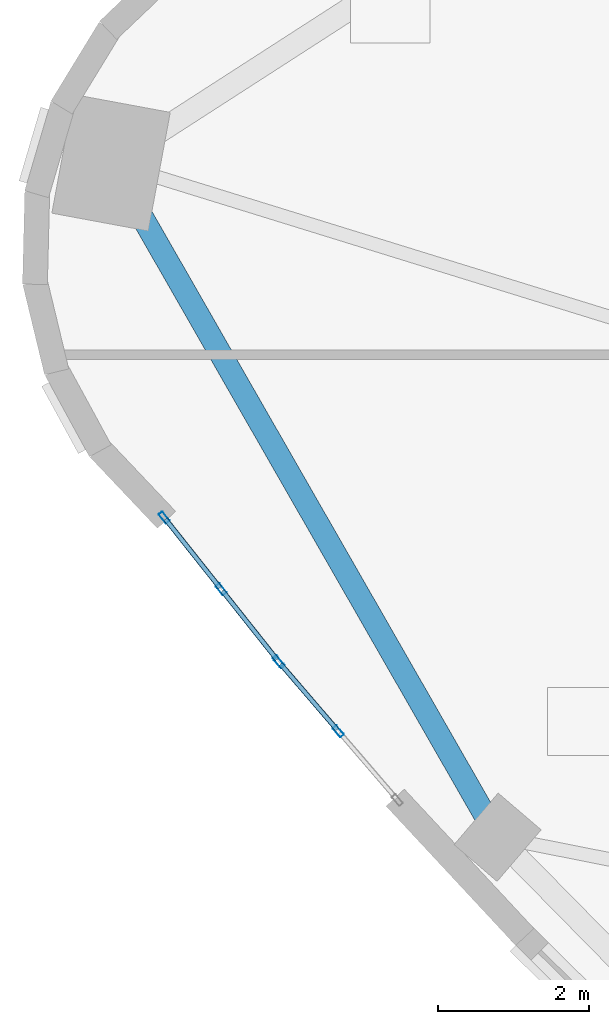
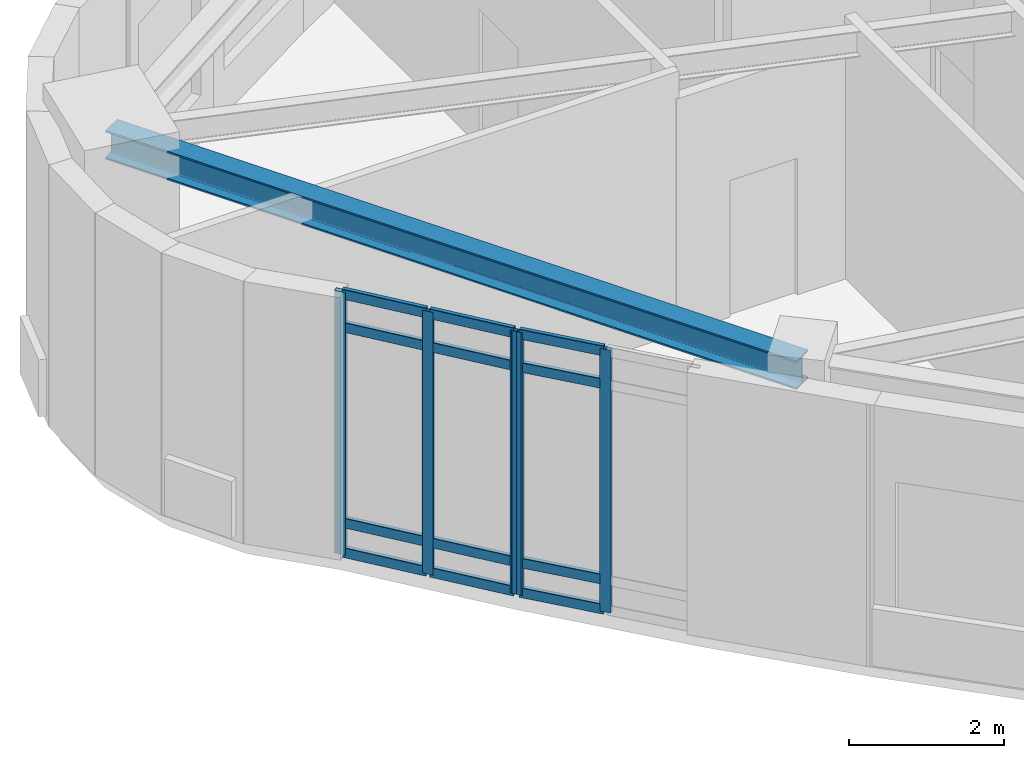
# One storey, part 5 of 19: 17 members, 1 beam, 2 elements without a shape of their own.
"""IFC4 building model written with IfcOpenShell, lengths in metres."""

from ifc_helpers import new_model, si_unit, direction, frame, origin, origin_2d, place, context, subcontext, project, spatial, hollow_rectangle, i_section, extrude, material, layer, layer_set, material_profile, profile_set, type_object, element, aggregate, save


model = new_model("IFC4")

# Units and contexts
model_context = context("Model", 3, precision=1e-05, world=origin(), true_north=direction((0.0, 1.0)))
body_context = subcontext(model_context, "Body", "Model", "MODEL_VIEW")
ifc_project = project(units=[si_unit("LENGTHUNIT", "METRE"), si_unit("AREAUNIT", "SQUARE_METRE"), si_unit("VOLUMEUNIT", "CUBIC_METRE"), si_unit("PLANEANGLEUNIT", "RADIAN"), si_unit("MASSUNIT", "GRAM", prefix="KILO")], contexts=[model_context])

# Site, building, storey
site_placement = place(None, origin())
site = spatial("IfcSite", under=ifc_project, at=site_placement, CompositionType="ELEMENT")
building_placement = place(site_placement, origin())
building = spatial("IfcBuilding", under=site, at=building_placement, Name="Ndelora Gate Hotel", CompositionType="ELEMENT")
storey_placement = place(building_placement, frame((0.0, 0.0, 294.800048828125)))
storey = spatial("IfcBuildingStorey", under=building, at=storey_placement, Name="L73", CompositionType="ELEMENT", Elevation=294.800048828125)

# Beam
ifc_material_1 = material(Name="Steel S355", Category="steel")
ifc_material_profile_1 = material_profile(ifc_material_1, i_section(OverallWidth=0.300048828125, OverallDepth=0.449951171875, WebThickness=0.013916015625, FlangeThickness=0.02587890625, FilletRadius=0.027099609375, at=origin_2d()), Name="HEB 450")
ifc_profile_set_1 = profile_set([ifc_material_profile_1], Name="Steel S355")
beam_type = type_object("IfcBeamType", Name="BM-RING-450", PredefinedType="SPANDREL", material=ifc_profile_set_1)
beam_placement = place(storey_placement, frame((-19.949951171875, 3.697509765625, 3.905029296875), z_axis=(0.497255333538, -0.867604249222, 0.0), x_axis=(0.867604249222, 0.497255333538, 0.0)))
element("IfcBeam", 1, at=beam_placement, inside=storey, type_object=beam_type, Name="L73 structural beam RB-5", PredefinedType="SPANDREL", context=body_context, shape_type="SweptSolid", body=[
    extrude(i_section(OverallWidth=0.300048828125, OverallDepth=0.449951171875, WebThickness=0.013916015625, FlangeThickness=0.02587890625, FilletRadius=0.027099609375, at=origin_2d()), origin(), (0.0, 0.0, 1.0), 10.3115234375),
])

# Curtain wall, members
ifc_material_2 = material(Name="Bronze Anodised Unitised Aluminium and Low-E Glass", Category="aluminium")
ifc_layer = layer(ifc_material_2, 0.219970703125)
ifc_layer_set = layer_set([ifc_layer], Name="Bronze Anodised Unitised Aluminium and Low-E Glass")
curtain_wall_type = type_object("IfcCurtainWallType", Name="CW-SYS-7", PredefinedType="NOTDEFINED", material=ifc_layer_set)
curtain_wall_1_placement = place(storey_placement, origin())
curtain_wall_1 = element("IfcCurtainWall", 2, at=curtain_wall_1_placement, inside=storey, type_object=curtain_wall_type, Name="L73 West Peak Horizon Observatory Curtain Wall 1", PredefinedType="NOTDEFINED")
ifc_material_3 = material(Name="Bronze Anodised Aluminium 6063-T6", Category="aluminium")
ifc_material_profile_2 = material_profile(ifc_material_3, hollow_rectangle(XDim=0.06494140625, YDim=0.159912109375, WallThickness=0.00390625, InnerFilletRadius=0.00390625, OuterFilletRadius=0.008056640625, at=origin_2d()), Name="ALU 160x65x4")
ifc_profile_set_2 = profile_set([ifc_material_profile_2], Name="Bronze Anodised Aluminium 6063-T6")
member_type_1 = type_object("IfcMemberType", Name="MB-CW-MUL150", PredefinedType="MULLION", material=ifc_profile_set_2)
member_1_placement = place(storey_placement, frame((-19.24462890625, -1.008544921875, -0.004150390625), z_axis=(0.0, 0.0, 1.0), x_axis=(0.783317390578, 0.62162196359, 0.0)))
member_1 = element("IfcMember", 3, at=member_1_placement, type_object=member_type_1, Name="CW7 mullion 1", PredefinedType="MULLION", context=body_context, shape_type="SweptSolid", body=[
    extrude(hollow_rectangle(XDim=0.06494140625, YDim=0.159912109375, WallThickness=0.00390625, InnerFilletRadius=0.00390625, OuterFilletRadius=0.008056640625, at=origin_2d()), origin(), (0.0, 0.0, 1.0), 4.13818359375),
])
member_2_placement = place(storey_placement, frame((-18.489013671875, -1.960693359375, -0.004150390625), z_axis=(0.0, 0.0, 1.0), x_axis=(0.783317390578, 0.62162196359, 0.0)))
member_2 = element("IfcMember", 4, at=member_2_placement, type_object=member_type_1, Name="CW7 mullion 2", PredefinedType="MULLION", context=body_context, shape_type="SweptSolid", body=[
    extrude(hollow_rectangle(XDim=0.06494140625, YDim=0.159912109375, WallThickness=0.00390625, InnerFilletRadius=0.00390625, OuterFilletRadius=0.008056640625, at=origin_2d()), origin(), (0.0, 0.0, 1.0), 4.13818359375),
])
member_3_placement = place(storey_placement, frame((-17.7333984375, -2.912841796875, -0.004150390625), z_axis=(0.0, 0.0, 1.0), x_axis=(0.783317390578, 0.62162196359, 0.0)))
member_3 = element("IfcMember", 5, at=member_3_placement, type_object=member_type_1, Name="CW7 mullion 3", PredefinedType="MULLION", context=body_context, shape_type="SweptSolid", body=[
    extrude(hollow_rectangle(XDim=0.06494140625, YDim=0.159912109375, WallThickness=0.00390625, InnerFilletRadius=0.00390625, OuterFilletRadius=0.008056640625, at=origin_2d()), origin(), (0.0, 0.0, 1.0), 4.13818359375),
])

curtain_wall_2_placement = place(storey_placement, origin())
curtain_wall_2 = element("IfcCurtainWall", 6, at=curtain_wall_2_placement, inside=storey, type_object=curtain_wall_type, Name="L73 West Peak Horizon Observatory Curtain Wall 2", PredefinedType="NOTDEFINED")
member_4_placement = place(storey_placement, frame((-17.717529296875, -2.93212890625, -0.004150390625), z_axis=(0.0, 0.0, 1.0), x_axis=(0.75852990573, 0.651638229475, 0.0)))
member_4 = element("IfcMember", 7, at=member_4_placement, type_object=member_type_1, Name="CW7 mullion 1", PredefinedType="MULLION", context=body_context, shape_type="SweptSolid", body=[
    extrude(hollow_rectangle(XDim=0.06494140625, YDim=0.159912109375, WallThickness=0.00390625, InnerFilletRadius=0.00390625, OuterFilletRadius=0.008056640625, at=origin_2d()), origin(), (0.0, 0.0, 1.0), 4.13818359375),
])
member_5_placement = place(storey_placement, frame((-16.934326171875, -3.84375, -0.004150390625), z_axis=(0.0, 0.0, 1.0), x_axis=(0.75852990573, 0.651638229475, 0.0)))
member_5 = element("IfcMember", 8, at=member_5_placement, type_object=member_type_1, Name="CW7 mullion 2", PredefinedType="MULLION", context=body_context, shape_type="SweptSolid", body=[
    extrude(hollow_rectangle(XDim=0.06494140625, YDim=0.159912109375, WallThickness=0.00390625, InnerFilletRadius=0.00390625, OuterFilletRadius=0.008056640625, at=origin_2d()), origin(), (0.0, 0.0, 1.0), 4.13818359375),
])

# Member
ifc_material_profile_3 = material_profile(ifc_material_3, hollow_rectangle(XDim=0.06494140625, YDim=0.159912109375, WallThickness=0.00390625, InnerFilletRadius=0.00390625, OuterFilletRadius=0.008056640625, at=origin_2d()), Name="ALU 160x65x4")
ifc_profile_set_3 = profile_set([ifc_material_profile_3], Name="Bronze Anodised Aluminium 6063-T6")
member_type_2 = type_object("IfcMemberType", Name="MB-CW-TRN150", PredefinedType="USERDEFINED", material=ifc_profile_set_3)
member_6_placement = place(storey_placement, frame((-19.228271484375, -1.029296875, 0.032470703125), z_axis=(0.621616954834, -0.783321365382, 0.0), x_axis=(0.783321365382, 0.621616954834, 0.0)))
member_6 = element("IfcMember", 9, at=member_6_placement, type_object=member_type_2, Name="CW7 transom 1.1", ObjectType="TRANSOM", PredefinedType="USERDEFINED", context=body_context, shape_type="SweptSolid", body=[
    extrude(hollow_rectangle(XDim=0.06494140625, YDim=0.159912109375, WallThickness=0.00390625, InnerFilletRadius=0.00390625, OuterFilletRadius=0.008056640625, at=origin_2d()), origin(), (0.0, 0.0, 1.0), 1.16259765625),
])

member_7_placement = place(storey_placement, frame((-19.228271484375, -1.029296875, 0.5), z_axis=(0.621616954834, -0.783321365382, 0.0), x_axis=(0.783321365382, 0.621616954834, 0.0)))
member_7 = element("IfcMember", 10, at=member_7_placement, type_object=member_type_2, Name="CW7 transom 1.2", ObjectType="TRANSOM", PredefinedType="USERDEFINED", context=body_context, shape_type="SweptSolid", body=[
    extrude(hollow_rectangle(XDim=0.06494140625, YDim=0.159912109375, WallThickness=0.00390625, InnerFilletRadius=0.00390625, OuterFilletRadius=0.008056640625, at=origin_2d()), origin(), (0.0, 0.0, 1.0), 1.16259765625),
])

member_8_placement = place(storey_placement, frame((-19.228271484375, -1.029296875, 3.579833984375), z_axis=(0.621616954834, -0.783321365382, 0.0), x_axis=(0.783321365382, 0.621616954834, 0.0)))
member_8 = element("IfcMember", 11, at=member_8_placement, type_object=member_type_2, Name="CW7 transom 1.3", ObjectType="TRANSOM", PredefinedType="USERDEFINED", context=body_context, shape_type="SweptSolid", body=[
    extrude(hollow_rectangle(XDim=0.06494140625, YDim=0.159912109375, WallThickness=0.00390625, InnerFilletRadius=0.00390625, OuterFilletRadius=0.008056640625, at=origin_2d()), origin(), (0.0, 0.0, 1.0), 1.16259765625),
])

member_9_placement = place(storey_placement, frame((-19.228271484375, -1.029296875, 4.097412109375), z_axis=(0.621616954834, -0.783321365382, 0.0), x_axis=(0.783321365382, 0.621616954834, 0.0)))
member_9 = element("IfcMember", 12, at=member_9_placement, type_object=member_type_2, Name="CW7 transom 1.4", ObjectType="TRANSOM", PredefinedType="USERDEFINED", context=body_context, shape_type="SweptSolid", body=[
    extrude(hollow_rectangle(XDim=0.06494140625, YDim=0.159912109375, WallThickness=0.00390625, InnerFilletRadius=0.00390625, OuterFilletRadius=0.008056640625, at=origin_2d()), origin(), (0.0, 0.0, 1.0), 1.16259765625),
])

member_10_placement = place(storey_placement, frame((-18.47265625, -1.9814453125, 0.032470703125), z_axis=(0.621616954834, -0.783321365382, 0.0), x_axis=(0.783321365382, 0.621616954834, 0.0)))
member_10 = element("IfcMember", 13, at=member_10_placement, type_object=member_type_2, Name="CW7 transom 2.1", ObjectType="TRANSOM", PredefinedType="USERDEFINED", context=body_context, shape_type="SweptSolid", body=[
    extrude(hollow_rectangle(XDim=0.06494140625, YDim=0.159912109375, WallThickness=0.00390625, InnerFilletRadius=0.00390625, OuterFilletRadius=0.008056640625, at=origin_2d()), origin(), (0.0, 0.0, 1.0), 1.16259765625),
])

member_11_placement = place(storey_placement, frame((-18.47265625, -1.9814453125, 0.5), z_axis=(0.621616954834, -0.783321365382, 0.0), x_axis=(0.783321365382, 0.621616954834, 0.0)))
member_11 = element("IfcMember", 14, at=member_11_placement, type_object=member_type_2, Name="CW7 transom 2.2", ObjectType="TRANSOM", PredefinedType="USERDEFINED", context=body_context, shape_type="SweptSolid", body=[
    extrude(hollow_rectangle(XDim=0.06494140625, YDim=0.159912109375, WallThickness=0.00390625, InnerFilletRadius=0.00390625, OuterFilletRadius=0.008056640625, at=origin_2d()), origin(), (0.0, 0.0, 1.0), 1.16259765625),
])

member_12_placement = place(storey_placement, frame((-18.47265625, -1.9814453125, 3.579833984375), z_axis=(0.621616954834, -0.783321365382, 0.0), x_axis=(0.783321365382, 0.621616954834, 0.0)))
member_12 = element("IfcMember", 15, at=member_12_placement, type_object=member_type_2, Name="CW7 transom 2.3", ObjectType="TRANSOM", PredefinedType="USERDEFINED", context=body_context, shape_type="SweptSolid", body=[
    extrude(hollow_rectangle(XDim=0.06494140625, YDim=0.159912109375, WallThickness=0.00390625, InnerFilletRadius=0.00390625, OuterFilletRadius=0.008056640625, at=origin_2d()), origin(), (0.0, 0.0, 1.0), 1.16259765625),
])

member_13_placement = place(storey_placement, frame((-18.47265625, -1.9814453125, 4.097412109375), z_axis=(0.621616954834, -0.783321365382, 0.0), x_axis=(0.783321365382, 0.621616954834, 0.0)))
member_13 = element("IfcMember", 16, at=member_13_placement, type_object=member_type_2, Name="CW7 transom 2.4", ObjectType="TRANSOM", PredefinedType="USERDEFINED", context=body_context, shape_type="SweptSolid", body=[
    extrude(hollow_rectangle(XDim=0.06494140625, YDim=0.159912109375, WallThickness=0.00390625, InnerFilletRadius=0.00390625, OuterFilletRadius=0.008056640625, at=origin_2d()), origin(), (0.0, 0.0, 1.0), 1.16259765625),
])

aggregate(curtain_wall_1, [member_1, member_2, member_3, member_6, member_7, member_8, member_9, member_10, member_11, member_12, member_13])

member_14_placement = place(storey_placement, frame((-17.7001953125, -2.9521484375, 0.032470703125), z_axis=(0.651526069725, -0.75862624557, 0.0), x_axis=(0.75862624557, 0.651526069725, 0.0)))
member_14 = element("IfcMember", 17, at=member_14_placement, type_object=member_type_2, Name="CW7 transom 1.1", ObjectType="TRANSOM", PredefinedType="USERDEFINED", context=body_context, shape_type="SweptSolid", body=[
    extrude(hollow_rectangle(XDim=0.06494140625, YDim=0.159912109375, WallThickness=0.00390625, InnerFilletRadius=0.00390625, OuterFilletRadius=0.008056640625, at=origin_2d()), origin(), (0.0, 0.0, 1.0), 1.14892578125),
])

member_15_placement = place(storey_placement, frame((-17.7001953125, -2.9521484375, 0.5), z_axis=(0.651526069725, -0.75862624557, 0.0), x_axis=(0.75862624557, 0.651526069725, 0.0)))
member_15 = element("IfcMember", 18, at=member_15_placement, type_object=member_type_2, Name="CW7 transom 1.2", ObjectType="TRANSOM", PredefinedType="USERDEFINED", context=body_context, shape_type="SweptSolid", body=[
    extrude(hollow_rectangle(XDim=0.06494140625, YDim=0.159912109375, WallThickness=0.00390625, InnerFilletRadius=0.00390625, OuterFilletRadius=0.008056640625, at=origin_2d()), origin(), (0.0, 0.0, 1.0), 1.14892578125),
])

member_16_placement = place(storey_placement, frame((-17.7001953125, -2.9521484375, 3.579833984375), z_axis=(0.651526069725, -0.75862624557, 0.0), x_axis=(0.75862624557, 0.651526069725, 0.0)))
member_16 = element("IfcMember", 19, at=member_16_placement, type_object=member_type_2, Name="CW7 transom 1.3", ObjectType="TRANSOM", PredefinedType="USERDEFINED", context=body_context, shape_type="SweptSolid", body=[
    extrude(hollow_rectangle(XDim=0.06494140625, YDim=0.159912109375, WallThickness=0.00390625, InnerFilletRadius=0.00390625, OuterFilletRadius=0.008056640625, at=origin_2d()), origin(), (0.0, 0.0, 1.0), 1.14892578125),
])

member_17_placement = place(storey_placement, frame((-17.7001953125, -2.9521484375, 4.097412109375), z_axis=(0.651526069725, -0.75862624557, 0.0), x_axis=(0.75862624557, 0.651526069725, 0.0)))
member_17 = element("IfcMember", 20, at=member_17_placement, type_object=member_type_2, Name="CW7 transom 1.4", ObjectType="TRANSOM", PredefinedType="USERDEFINED", context=body_context, shape_type="SweptSolid", body=[
    extrude(hollow_rectangle(XDim=0.06494140625, YDim=0.159912109375, WallThickness=0.00390625, InnerFilletRadius=0.00390625, OuterFilletRadius=0.008056640625, at=origin_2d()), origin(), (0.0, 0.0, 1.0), 1.14892578125),
])

aggregate(curtain_wall_2, [member_4, member_5, member_14, member_15, member_16, member_17])

save(model, "model.ifc")
